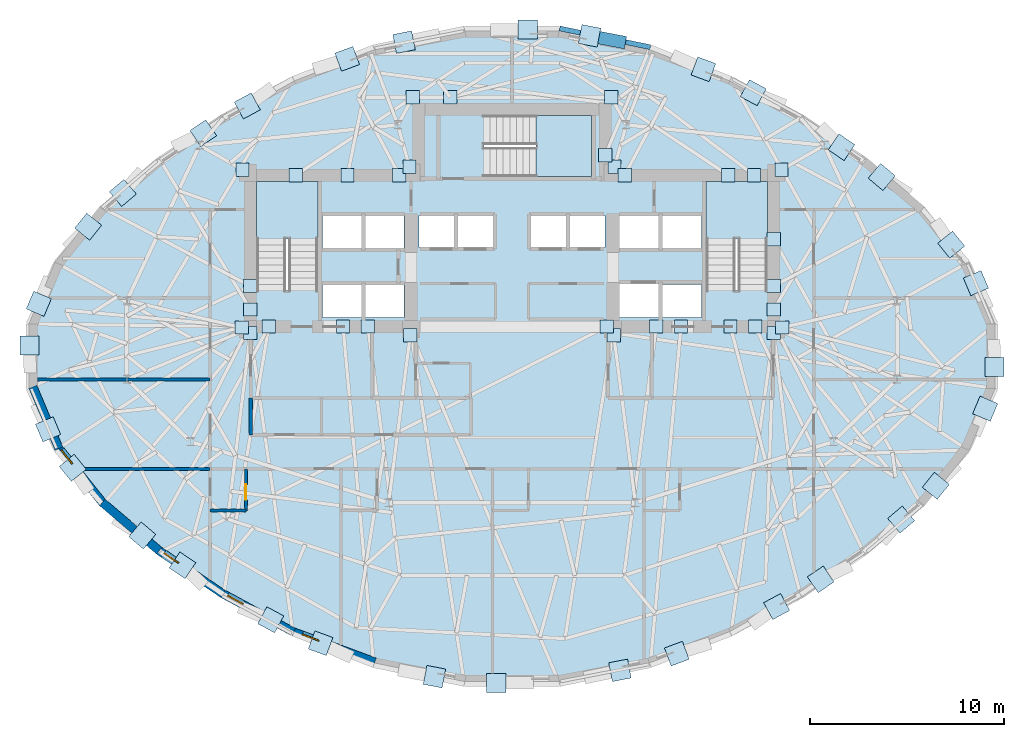
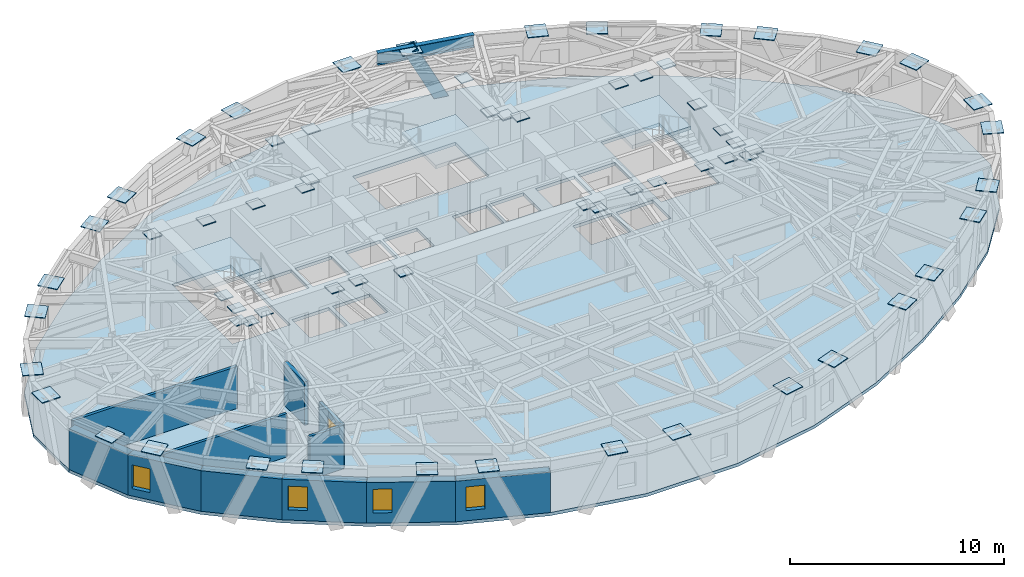
# One storey, part 5 of 14: 65 plates, 11 walls, 4 slabs, 4 windows, 1 beam, 1 door, 1 member, 5 openings, 3 elements without a shape of their own.
"""IFC4 building model written with IfcOpenShell, lengths in metres."""

from ifc_helpers import new_model, si_unit, direction, frame, frame_2d, origin, origin_2d, place, context, subcontext, project, spatial, polyline, rectangle, hollow_rectangle, i_section, outline, extrude, material, layer, layer_set, material_profile, profile_set, type_object, element, fill, aggregate, save


model = new_model("IFC4")

# Units and contexts
model_context = context("Model", 3, precision=1e-05, world=origin(), true_north=direction((0.0, 1.0)))
body_context = subcontext(model_context, "Body", "Model", "MODEL_VIEW")
ifc_project = project(units=[si_unit("LENGTHUNIT", "METRE"), si_unit("AREAUNIT", "SQUARE_METRE"), si_unit("VOLUMEUNIT", "CUBIC_METRE"), si_unit("PLANEANGLEUNIT", "RADIAN"), si_unit("MASSUNIT", "GRAM", prefix="KILO")], contexts=[model_context])

# Site, building, storey
site_placement = place(None, origin())
site = spatial("IfcSite", under=ifc_project, at=site_placement, CompositionType="ELEMENT")
building_placement = place(site_placement, origin())
building = spatial("IfcBuilding", under=site, at=building_placement, Name="Keldmark Tower", CompositionType="ELEMENT")
storey_placement = place(building_placement, frame((0.0, 0.0, 179.0)))
storey = spatial("IfcBuildingStorey", under=building, at=storey_placement, Name="L49", CompositionType="ELEMENT", Elevation=179.0)

# Member
ifc_material_1 = material(Name="Steel ASTM A572 Grade 50", Category="steel")
ifc_material_profile_1 = material_profile(ifc_material_1, hollow_rectangle(XDim=0.64990234375, YDim=0.64990234375, WallThickness=0.0400390625, at=origin_2d()), Name="BOX650X650X40")
ifc_profile_set_1 = profile_set([ifc_material_profile_1], Name="Steel ASTM A572 Grade 50")
member_type = type_object("IfcMemberType", Name="Diagrid Zone 3 Brace BOX650X650X40", PredefinedType="BRACE", material=ifc_profile_set_1)
member_placement = place(storey_placement, frame((5.5595703125, 16.2021484375, -0.260009765625), z_axis=(-0.44299787084, 0.084337857416, 0.89254692439), x_axis=(-0.187020756818, -0.982355962225, 0.0)))
element("IfcMember", 1, at=member_placement, inside=storey, type_object=member_type, Name="L49 Perimeter Diagrid Brace 04A", PredefinedType="BRACE", context=body_context, shape_type="SweptSolid", body=[
    extrude(hollow_rectangle(XDim=0.64990234375, YDim=0.64990234375, WallThickness=0.0400390625, at=origin_2d()), origin(), (0.0, 0.0, 1.0), 3.540283203125),
])

# Beam
ifc_material_2 = material(Name="Steel ASTM A992 Grade 50", Category="steel")
ifc_material_profile_2 = material_profile(ifc_material_2, i_section(OverallWidth=0.256103515625, OverallDepth=0.693115234375, WebThickness=0.014404296875, FlangeThickness=0.023681640625, at=origin_2d()), Name="W27X114")
ifc_profile_set_2 = profile_set([ifc_material_profile_2], Name="Steel ASTM A992 Grade 50")
beam_type = type_object("IfcBeamType", Name="Spandrel Ring Beam W27X114", PredefinedType="SPANDREL", material=ifc_profile_set_2)
beam_placement = place(storey_placement, frame((7.120849609375, 15.913818359375, 2.673583984375), z_axis=(-0.979222564836, 0.202788482206, 0.0), x_axis=(-0.202788482206, -0.979222564836, 0.0)))
element("IfcBeam", 2, at=beam_placement, inside=storey, type_object=beam_type, Name="L49 Perimeter Spandrel Ring Beam SRB-07", PredefinedType="SPANDREL", context=body_context, shape_type="SweptSolid", body=[
    extrude(i_section(OverallWidth=0.256103515625, OverallDepth=0.693115234375, WebThickness=0.014404296875, FlangeThickness=0.023681640625, at=origin_2d()), origin(), (0.0, 0.0, 1.0), 4.767578125),
])

# Plates
ifc_material_3 = material(Name="Steel ASTM A572 Grade 50", Category="steel")
ifc_layer_1 = layer(ifc_material_3, 0.06005859375)
ifc_layer_set_1 = layer_set([ifc_layer_1], Name="Steel ASTM A572 Grade 50")
plate_type_1 = type_object("IfcPlateType", Name="Belt Truss Kink Node Assembly KN01 60 mm", PredefinedType="USERDEFINED", material=ifc_layer_set_1)
for number, where, z_axis, x_axis, name in (
    (3, (13.91162109375, 1.473388671875, 2.72412109375), (0.0, 0.0, 1.0), (1.0, 0.0, 0.0), "L49 Core Wall Cast-In Embed Plate 1437"),
    (4, (13.878173828125, 9.608154296875, 2.72412109375), (0.0, 0.0, 1.0), (1.0, 0.0, 0.0), "L49 Core Wall Cast-In Embed Plate 1438"),
    (5, (5.28515625, 9.758544921875, 2.72412109375), (0.0, 0.0, 1.0), (1.0, 0.0, 0.0), "L49 Core Wall Cast-In Embed Plate 1439"),
    (6, (-5.28515625, 9.758544921875, 2.72412109375), (0.0, 0.0, 1.0), (1.0, 0.0, 0.0), "L49 Core Wall Cast-In Embed Plate 1440"),
    (7, (-13.878173828125, 9.608154296875, 2.72412109375), (0.0, 0.0, 1.0), (1.0, 0.0, 0.0), "L49 Core Wall Cast-In Embed Plate 1441"),
    (8, (-13.91162109375, 1.473388671875, 2.72412109375), (0.0, 0.0, 1.0), (1.0, 0.0, 0.0), "L49 Core Wall Cast-In Embed Plate 1442"),
    (9, (-5.24072265625, 1.08251953125, 2.72412109375), (0.0, 0.0, 1.0), (1.0, 0.0, 0.0), "L49 Core Wall Cast-In Embed Plate 1443"),
    (10, (5.24072265625, 1.08251953125, 2.72412109375), (0.0, 0.0, 1.0), (1.0, 0.0, 0.0), "L49 Core Wall Cast-In Embed Plate 1444"),
    (11, (5.80712890625, 9.324951171875, 2.72412109375), (0.0, 0.0, 1.0), (1.0, 0.0, 0.0), "L49 Core Wall Cast-In Embed Plate 1445"),
    (12, (-5.80712890625, 9.324951171875, 2.72412109375), (0.0, 0.0, 1.0), (1.0, 0.0, 0.0), "L49 Core Wall Cast-In Embed Plate 1446"),
    (13, (-13.47509765625, 1.199951171875, 2.72412109375), (0.0, 0.0, 1.0), (1.0, 0.0, 0.0), "L49 Core Wall Cast-In Embed Plate 1447"),
    (14, (-7.425048828125, 1.52490234375, 2.72412109375), (0.0, 0.0, 1.0), (1.0, 0.0, 0.0), "L49 Core Wall Cast-In Embed Plate 1448"),
    (15, (7.425048828125, 1.52490234375, 2.72412109375), (0.0, 0.0, 1.0), (1.0, 0.0, 0.0), "L49 Core Wall Cast-In Embed Plate 1449"),
    (16, (13.47509765625, 1.199951171875, 2.72412109375), (0.0, 0.0, 1.0), (1.0, 0.0, 0.0), "L49 Core Wall Cast-In Embed Plate 1450"),
    (17, (-12.52490234375, 1.52490234375, 2.72412109375), (0.0, 0.0, 1.0), (1.0, 0.0, 0.0), "L49 Core Wall Cast-In Embed Plate 1451"),
    (18, (13.47509765625, 3.6142578125, 2.72412109375), (0.0, 0.0, 1.0), (1.0, 0.0, 0.0), "L49 Core Wall Cast-In Embed Plate 1452"),
    (19, (13.47509765625, 2.406982421875, 2.72412109375), (0.0, 0.0, 1.0), (1.0, 0.0, 0.0), "L49 Core Wall Cast-In Embed Plate 1453"),
    (20, (5.110595703125, 13.339111328125, 2.72412109375), (0.0, 0.0, 1.0), (1.0, 0.0, 0.0), "L49 Core Wall Cast-In Embed Plate 1454"),
    (21, (11.1357421875, 9.324951171875, 2.72412109375), (0.0, 0.0, 1.0), (1.0, 0.0, 0.0), "L49 Core Wall Cast-In Embed Plate 1455"),
    (22, (-5.110595703125, 13.339111328125, 2.72412109375), (0.0, 0.0, 1.0), (1.0, 0.0, 0.0), "L49 Core Wall Cast-In Embed Plate 1456"),
    (23, (-11.1357421875, 9.324951171875, 2.72412109375), (0.0, 0.0, 1.0), (1.0, 0.0, 0.0), "L49 Core Wall Cast-In Embed Plate 1457"),
    (24, (-3.175537109375, 13.339111328125, 2.72412109375), (0.0, 0.0, 1.0), (1.0, 0.0, 0.0), "L49 Core Wall Cast-In Embed Plate 1458"),
    (25, (-13.47509765625, 2.406982421875, 2.72412109375), (0.0, 0.0, 1.0), (1.0, 0.0, 0.0), "L49 Core Wall Cast-In Embed Plate 1459"),
    (26, (-13.47509765625, 3.6142578125, 2.72412109375), (0.0, 0.0, 1.0), (1.0, 0.0, 0.0), "L49 Core Wall Cast-In Embed Plate 1460"),
    (27, (4.875, 1.52490234375, 2.72412109375), (0.0, 0.0, 1.0), (1.0, 0.0, 0.0), "L49 Core Wall Cast-In Embed Plate 1461"),
    (28, (-8.699951171875, 1.52490234375, 2.72412109375), (0.0, 0.0, 1.0), (1.0, 0.0, 0.0), "L49 Core Wall Cast-In Embed Plate 1462"),
    (29, (8.699951171875, 1.52490234375, 2.72412109375), (0.0, 0.0, 1.0), (1.0, 0.0, 0.0), "L49 Core Wall Cast-In Embed Plate 1463"),
    (30, (11.25, 1.52490234375, 2.72412109375), (0.0, 0.0, 1.0), (1.0, 0.0, 0.0), "L49 Core Wall Cast-In Embed Plate 1464"),
    (31, (12.52490234375, 1.52490234375, 2.72412109375), (0.0, 0.0, 1.0), (1.0, 0.0, 0.0), "L49 Core Wall Cast-In Embed Plate 1465"),
    (32, (4.800048828125, 10.35009765625, 2.72412109375), (0.0, 0.0, 1.0), (1.0, 0.0, 0.0), "L49 Core Wall Cast-In Embed Plate 1466"),
    (33, (12.468017578125, 9.324951171875, 2.72412109375), (0.0, 0.0, 1.0), (1.0, 0.0, 0.0), "L49 Core Wall Cast-In Embed Plate 1467"),
    (34, (-8.471435546875, 9.324951171875, 2.72412109375), (0.0, 0.0, 1.0), (1.0, 0.0, 0.0), "L49 Core Wall Cast-In Embed Plate 1468"),
    (35, (13.47509765625, 6.028564453125, 2.72412109375), (0.0, 0.0, 1.0), (1.0, 0.0, 0.0), "L49 Core Wall Cast-In Embed Plate 1469"),
):
    element("IfcPlate", number, at=place(storey_placement, frame(where, z_axis=z_axis, x_axis=x_axis)), inside=storey, type_object=plate_type_1, Name=name, ObjectType="CAP PLATE", PredefinedType="USERDEFINED", context=body_context, shape_type="SweptSolid", body=[
        extrude(rectangle(XDim=0.679931640625, YDim=0.679931640625, at=origin_2d()), origin(), (0.0, 0.0, 1.0), 0.054931640625),
    ])
ifc_material_4 = material(Name="Steel ASTM A572 Grade 50", Category="steel")
ifc_layer_2 = layer(ifc_material_4, 0.044921875)
ifc_layer_set_2 = layer_set([ifc_layer_2], Name="Steel ASTM A572 Grade 50")
plate_type_2 = type_object("IfcPlateType", Name="Diagrid Node Assembly DN04 45 mm", PredefinedType="USERDEFINED", material=ifc_layer_set_2)
for number, where, z_axis, x_axis, name in (
    (36, (23.889892578125, 3.7666015625, 2.87744140625), (0.0, 0.0, 1.0), (-0.388319916157, 0.921524629468, 0.0), "L49 Diagrid Node Assembly 01"),
    (37, (22.619384765625, 5.747314453125, 2.87744140625), (0.0, 0.0, 1.0), (-0.626603811364, 0.779337964931, 0.0), "L49 Diagrid Node Assembly 02"),
    (38, (19.040771484375, 9.231201171875, 2.87744140625), (0.0, 0.0, 1.0), (-0.762555431968, 0.646922880393, 0.0), "L49 Diagrid Node Assembly 03"),
    (39, (16.97119140625, 10.764892578125, 2.87744140625), (0.0, 0.0, 1.0), (-0.827766671236, 0.56107248907, 0.0), "L49 Diagrid Node Assembly 04"),
    (40, (12.425537109375, 13.571533203125, 2.87744140625), (0.0, 0.0, 1.0), (-0.879316310191, 0.476238203668, 0.0), "L49 Diagrid Node Assembly 05"),
    (41, (9.857666015625, 14.779541015625, 2.87744140625), (0.0, 0.0, 1.0), (-0.938009980858, 0.346608245445, 0.0), "L49 Diagrid Node Assembly 06"),
    (42, (3.9912109375, 16.500732421875, 2.87744140625), (0.0, 0.0, 1.0), (-0.981760154029, 0.190123643878, 0.0), "L49 Diagrid Node Assembly 07"),
    (43, (0.8115234375, 16.82080078125, 2.87744140625), (0.0, 0.0, 1.0), (-1.0, 0.0, 0.0), "L49 Diagrid Node Assembly 08"),
    (44, (-5.558837890625, 16.17626953125, 2.87744140625), (0.0, 0.0, 1.0), (-0.981760154029, -0.190123643878, 0.0), "L49 Diagrid Node Assembly 09"),
    (45, (-8.486083984375, 15.315673828125, 2.87744140625), (0.0, 0.0, 1.0), (-0.938009980858, -0.346608245445, 0.0), "L49 Diagrid Node Assembly 10"),
    (46, (-13.630615234375, 12.89111328125, 2.87744140625), (0.0, 0.0, 1.0), (-0.879316310191, -0.476238203668, 0.0), "L49 Diagrid Node Assembly 11"),
    (47, (-15.897705078125, 11.490234375, 2.87744140625), (0.0, 0.0, 1.0), (-0.827766671236, -0.56107248907, 0.0), "L49 Diagrid Node Assembly 12"),
    (48, (-20.04150390625, 8.411376953125, 2.87744140625), (0.0, 0.0, 1.0), (-0.762555431968, -0.646922880393, 0.0), "L49 Diagrid Node Assembly 13"),
    (49, (-21.826416015625, 6.673583984375, 2.87744140625), (0.0, 0.0, 1.0), (-0.626603811364, -0.779337964931, 0.0), "L49 Diagrid Node Assembly 14"),
    (50, (-24.36767578125, 2.7001953125, 2.87744140625), (0.0, 0.0, 1.0), (-0.388319916157, -0.921524629468, 0.0), "L49 Diagrid Node Assembly 15"),
    (51, (-24.8408203125, 0.54833984375, 2.87744140625), (0.0, 0.0, 1.0), (0.0, -1.0, 0.0), "L49 Diagrid Node Assembly 16"),
    (52, (-23.889892578125, -3.7666015625, 2.87744140625), (0.0, 0.0, 1.0), (0.388319916157, -0.921524629468, 0.0), "L49 Diagrid Node Assembly 17"),
    (53, (-22.619384765625, -5.747314453125, 2.87744140625), (0.0, 0.0, 1.0), (0.626603811364, -0.779337964931, 0.0), "L49 Diagrid Node Assembly 18"),
    (54, (-19.040771484375, -9.231201171875, 2.87744140625), (0.0, 0.0, 1.0), (0.762555431968, -0.646922880393, 0.0), "L49 Diagrid Node Assembly 19"),
    (55, (-16.97119140625, -10.764892578125, 2.87744140625), (0.0, 0.0, 1.0), (0.827766671236, -0.56107248907, 0.0), "L49 Diagrid Node Assembly 20"),
    (56, (-12.425537109375, -13.571533203125, 2.87744140625), (0.0, 0.0, 1.0), (0.879316310191, -0.476238203668, 0.0), "L49 Diagrid Node Assembly 21"),
    (57, (-9.857666015625, -14.779541015625, 2.87744140625), (0.0, 0.0, 1.0), (0.938009980858, -0.346608245445, 0.0), "L49 Diagrid Node Assembly 22"),
    (58, (-3.9912109375, -16.500732421875, 2.87744140625), (0.0, 0.0, 1.0), (0.981760154029, -0.190123643878, 0.0), "L49 Diagrid Node Assembly 23"),
    (59, (-0.8115234375, -16.82080078125, 2.87744140625), (0.0, 0.0, 1.0), (1.0, 0.0, 0.0), "L49 Diagrid Node Assembly 24"),
    (60, (5.558837890625, -16.17626953125, 2.87744140625), (0.0, 0.0, 1.0), (0.981760154029, 0.190123643878, 0.0), "L49 Diagrid Node Assembly 25"),
    (61, (8.486083984375, -15.315673828125, 2.87744140625), (0.0, 0.0, 1.0), (0.938009980858, 0.346608245445, 0.0), "L49 Diagrid Node Assembly 26"),
    (62, (13.630615234375, -12.89111328125, 2.87744140625), (0.0, 0.0, 1.0), (0.879316310191, 0.476238203668, 0.0), "L49 Diagrid Node Assembly 27"),
    (63, (15.897705078125, -11.490234375, 2.87744140625), (0.0, 0.0, 1.0), (0.827766671236, 0.56107248907, 0.0), "L49 Diagrid Node Assembly 28"),
    (64, (20.04150390625, -8.411376953125, 2.87744140625), (0.0, 0.0, 1.0), (0.762555431968, 0.646922880393, 0.0), "L49 Diagrid Node Assembly 29"),
    (65, (21.826416015625, -6.673583984375, 2.87744140625), (0.0, 0.0, 1.0), (0.626603811364, 0.779337964931, 0.0), "L49 Diagrid Node Assembly 30"),
    (66, (24.36767578125, -2.7001953125, 2.87744140625), (0.0, 0.0, 1.0), (0.388319916157, 0.921524629468, 0.0), "L49 Diagrid Node Assembly 31"),
    (67, (24.8408203125, -0.54833984375, 2.87744140625), (0.0, 0.0, 1.0), (0.0, 1.0, 0.0), "L49 Diagrid Node Assembly 32"),
):
    element("IfcPlate", number, at=place(storey_placement, frame(where, z_axis=z_axis, x_axis=x_axis)), inside=storey, type_object=plate_type_2, Name=name, ObjectType="GUSSET", PredefinedType="USERDEFINED", context=body_context, shape_type="SweptSolid", body=[
        extrude(rectangle(XDim=0.989990234375, YDim=0.989990234375, at=origin_2d()), origin(), (0.0, 0.0, 1.0), 0.044921875),
    ])

# Slab
ifc_material_5 = material(Name="Concrete C35/45", Category="concrete")
ifc_layer_3 = layer(ifc_material_5, 0.179931640625)
ifc_layer_set_3 = layer_set([ifc_layer_3], Name="Concrete C35/45")
slab_type_1 = type_object("IfcSlabType", Name="Hotel and Residential Slab 180 mm", PredefinedType="FLOOR", material=ifc_layer_set_3)
slab_1_placement = place(storey_placement, frame((0.0, 0.0, -0.179931640625)))
element("IfcSlab", 68, at=slab_1_placement, inside=storey, type_object=slab_type_1, Name="L49 Composite Structural Floor Slab", PredefinedType="FLOOR", context=body_context, shape_type="SweptSolid", body=[
    extrude(outline(polyline([(24.8779296875, 1.6611328125), (23.5380859375, 4.84033203125), (21.2412109375, 7.69677734375), (18.30810546875, 10.185546875), (15.02490234375, 12.4111328125), (11.353759765625, 14.399658203125), (7.14013671875, 15.956787109375), (2.4501953125, 16.864990234375), (-2.4501953125, 16.864990234375), (-7.14013671875, 15.956787109375), (-11.353759765625, 14.399658203125), (-15.02490234375, 12.4111328125), (-18.30810546875, 10.185546875), (-21.2412109375, 7.69677734375), (-23.5380859375, 4.84033203125), (-24.8779296875, 1.6611328125), (-24.8779296875, -1.6611328125), (-23.5380859375, -4.84033203125), (-21.2412109375, -7.69677734375), (-18.30810546875, -10.185546875), (-15.02490234375, -12.4111328125), (-11.353759765625, -14.399658203125), (-7.14013671875, -15.956787109375), (-2.4501953125, -16.864990234375), (2.4501953125, -16.864990234375), (7.14013671875, -15.956787109375), (11.353759765625, -14.399658203125), (15.02490234375, -12.4111328125), (18.30810546875, -10.185546875), (21.2412109375, -7.69677734375), (23.5380859375, -4.84033203125), (24.8779296875, -1.6611328125), (24.8779296875, 1.6611328125)]), holes=[polyline([(-10.0, 3.385009765625), (-10.0, 9.0), (-13.14990234375, 9.0), (-13.14990234375, 3.385009765625), (-10.0, 3.385009765625)]), polyline([(13.14990234375, 3.385009765625), (13.14990234375, 9.0), (10.0, 9.0), (10.0, 3.385009765625), (13.14990234375, 3.385009765625)]), polyline([(-1.43994140625, 9.25), (4.10498046875, 9.25), (4.10498046875, 12.39990234375), (-1.43994140625, 12.39990234375), (-1.43994140625, 9.25)]), polyline([(-9.75, 2.0), (-7.75, 2.0), (-7.75, 3.699951171875), (-9.75, 3.699951171875), (-9.75, 2.0)]), polyline([(7.75, 2.0), (9.75, 2.0), (9.75, 3.699951171875), (7.75, 3.699951171875), (7.75, 2.0)]), polyline([(5.449951171875, 2.0), (7.550048828125, 2.0), (7.550048828125, 3.75), (5.449951171875, 3.75), (5.449951171875, 2.0)]), polyline([(-4.800048828125, 5.60009765625), (-2.949951171875, 5.60009765625), (-2.949951171875, 7.25), (-4.800048828125, 7.25), (-4.800048828125, 5.60009765625)]), polyline([(-2.800048828125, 5.60009765625), (-0.949951171875, 5.60009765625), (-0.949951171875, 7.25), (-2.800048828125, 7.25), (-2.800048828125, 5.60009765625)]), polyline([(0.949951171875, 5.60009765625), (2.800048828125, 5.60009765625), (2.800048828125, 7.25), (0.949951171875, 7.25), (0.949951171875, 5.60009765625)]), polyline([(2.949951171875, 5.60009765625), (4.800048828125, 5.60009765625), (4.800048828125, 7.25), (2.949951171875, 7.25), (2.949951171875, 5.60009765625)]), polyline([(-9.75, 5.550048828125), (-7.75, 5.550048828125), (-7.75, 7.25), (-9.75, 7.25), (-9.75, 5.550048828125)]), polyline([(-7.550048828125, 5.550048828125), (-5.550048828125, 5.550048828125), (-5.550048828125, 7.25), (-7.550048828125, 7.25), (-7.550048828125, 5.550048828125)]), polyline([(-7.550048828125, 2.0), (-5.550048828125, 2.0), (-5.550048828125, 3.699951171875), (-7.550048828125, 3.699951171875), (-7.550048828125, 2.0)]), polyline([(5.449951171875, 5.550048828125), (7.550048828125, 5.550048828125), (7.550048828125, 7.25), (5.449951171875, 7.25), (5.449951171875, 5.550048828125)]), polyline([(7.75, 5.550048828125), (9.75, 5.550048828125), (9.75, 7.25), (7.75, 7.25), (7.75, 5.550048828125)])]), origin(), (0.0, 0.0, 1.0), 0.179931640625),
])

# Stair, slab
ifc_material_6 = material(Name="Concrete C40/50", Category="concrete")
stair_type = type_object("IfcStairType", Name="Precast Concrete Core Exit Stair", PredefinedType="HALF_TURN_STAIR", material=ifc_material_6)
stair_1_placement = place(storey_placement, origin())
stair_1 = element("IfcStair", 69, at=stair_1_placement, inside=storey, type_object=stair_type, Name="L49 Exit Stair ST1", PredefinedType="HALF_TURN_STAIR")
ifc_material_7 = material(Name="Concrete C40/50", Category="concrete")
ifc_layer_4 = layer(ifc_material_7, 0.199951171875)
ifc_layer_set_4 = layer_set([ifc_layer_4], Name="Concrete C40/50")
slab_type_2 = type_object("IfcSlabType", Name="Reinforced Concrete Stair Landing 200 mm", PredefinedType="LANDING", material=ifc_layer_set_4)
slab_2_placement = place(storey_placement, frame((0.0, 0.0, 1.39990234375)))
slab_2 = element("IfcSlab", 70, at=slab_2_placement, type_object=slab_type_2, Name="ST1 landing 1", PredefinedType="LANDING", context=body_context, shape_type="SweptSolid", body=[
    extrude(outline(polyline([(-10.0, 6.050048828125), (-10.0, 9.0), (-13.14990234375, 9.0), (-13.14990234375, 6.050048828125), (-10.0, 6.050048828125)])), origin(), (0.0, 0.0, 1.0), 0.2001953125),
])
aggregate(stair_1, [slab_2])

stair_2_placement = place(storey_placement, origin())
stair_2 = element("IfcStair", 71, at=stair_2_placement, inside=storey, type_object=stair_type, Name="L49 Exit Stair ST2", PredefinedType="HALF_TURN_STAIR")
slab_3_placement = place(storey_placement, frame((0.0, 0.0, 1.39990234375)))
slab_3 = element("IfcSlab", 72, at=slab_3_placement, type_object=slab_type_2, Name="ST2 landing 1", PredefinedType="LANDING", context=body_context, shape_type="SweptSolid", body=[
    extrude(outline(polyline([(13.14990234375, 6.050048828125), (13.14990234375, 9.0), (10.0, 9.0), (10.0, 6.050048828125), (13.14990234375, 6.050048828125)])), origin(), (0.0, 0.0, 1.0), 0.2001953125),
])
aggregate(stair_2, [slab_3])

stair_3_placement = place(storey_placement, origin())
stair_3 = element("IfcStair", 73, at=stair_3_placement, inside=storey, type_object=stair_type, Name="L49 Exit Stair ST3", PredefinedType="HALF_TURN_STAIR")
slab_4_placement = place(storey_placement, frame((0.0, 0.0, 1.39990234375)))
slab_4 = element("IfcSlab", 74, at=slab_4_placement, type_object=slab_type_2, Name="ST3 landing 1", PredefinedType="LANDING", context=body_context, shape_type="SweptSolid", body=[
    extrude(outline(polyline([(1.22509765625, 9.25), (4.10498046875, 9.25), (4.10498046875, 12.39990234375), (1.22509765625, 12.39990234375), (1.22509765625, 9.25)])), origin(), (0.0, 0.0, 1.0), 0.2001953125),
])
aggregate(stair_3, [slab_4])

# Walls
ifc_material_8 = material(Name="Heavy Acoustic Plumbing Chase Gypsum Assembly", Category="gypsum")
ifc_layer_5 = layer(ifc_material_8, 0.18994140625)
ifc_layer_set_5 = layer_set([ifc_layer_5], Name="Heavy Acoustic Plumbing Chase Gypsum Assembly")
wall_type_1 = type_object("IfcWallType", Name="Heavy Wet Wall 190 mm", PredefinedType="PLUMBINGWALL", material=ifc_layer_set_5)
wall_1_placement = place(storey_placement, frame((-13.449951171875, -4.050048828125, 0.0), z_axis=(0.0, 0.0, 1.0), x_axis=(0.0, 1.0, 0.0)))
element("IfcWall", 75, at=wall_1_placement, inside=storey, type_object=wall_type_1, Name="L49 Heavy Wet Wall 190 mm SPK-W-W", PredefinedType="PLUMBINGWALL", context=body_context, shape_type="SweptSolid", body=[
    extrude(rectangle(XDim=1.900146484375, YDim=0.18994140625, at=frame_2d((0.9501953125, 0.0))), origin(), (0.0, 0.0, 1.0), 2.472900390625),
])
ifc_material_9 = material(Name="Ironspot Manganese Brick and Kasota Buff Limestone Spandrel Assembly", Category="masonry")
ifc_layer_6 = layer(ifc_material_9, 0.43994140625)
ifc_layer_set_6 = layer_set([ifc_layer_6], Name="Ironspot Manganese Brick and Kasota Buff Limestone Spandrel Assembly")
wall_type_2 = type_object("IfcWallType", Name="Tower Brick Pier and Spandrel Wall 440 mm", PredefinedType="STANDARD", material=ifc_layer_set_6)
wall_2_placement = place(storey_placement, frame((-23.33544921875, -4.7548828125, 0.0), z_axis=(0.0, 0.0, 1.0), x_axis=(-0.388360687569, 0.9215074478, 0.0)))
element("IfcWall", 76, at=wall_2_placement, inside=storey, type_object=wall_type_2, Name="L49 Exterior Brick and Spandrel Wall 17", PredefinedType="STANDARD", context=body_context, shape_type="SweptSolid", body=[
    extrude(rectangle(XDim=3.449951171875, YDim=0.43994140625, at=frame_2d((1.72509765625, 0.0))), origin(), (0.0, 0.0, 1.0), 2.31494140625),
])

# Wall, opening, window
wall_3_placement = place(storey_placement, frame((-21.06982421875, -7.558837890625, 0.0), z_axis=(0.0, 0.0, 1.0), x_axis=(-0.626642586146, 0.779306787618, 0.0)))
wall_3 = element("IfcWall", 77, at=wall_3_placement, inside=storey, type_object=wall_type_2, Name="L49 Exterior Brick and Spandrel Wall 18", PredefinedType="STANDARD", context=body_context, shape_type="SweptSolid", body=[
    extrude(rectangle(XDim=3.665283203125, YDim=0.43994140625, at=frame_2d((1.83251953125, 0.0))), origin(), (0.0, 0.0, 1.0), 2.31494140625),
])
opening_1_placement = place(wall_3_placement, frame((2.565185546875, 0.0, 0.419921875)))
opening_1 = element("IfcOpeningElement", 78, at=opening_1_placement, cuts=wall_3, Name="Opening W-09", PredefinedType="OPENING", context=body_context, shape_type="SweptSolid", body=[
    extrude(rectangle(XDim=0.89990234375, YDim=1.35009765625, at=frame_2d((0.449951171875, 0.675048828125))), frame((0.0, 0.22998046875, 0.0), z_axis=(0.0, -1.0, 0.0), x_axis=(1.0, 0.0, 0.0)), (0.0, 0.0, 1.0), 0.4599609375),
])
ifc_material_10 = material(Name="Thermally Broken Anodized Aluminum and Triple Low-E Argon Glazing", Category="aluminium")
window_type = type_object("IfcWindowType", Name="Corner Pier Deep-Set Window 900x1350", PartitioningType="SINGLE_PANEL", PredefinedType="WINDOW", material=ifc_material_10)
window_1_placement = place(opening_1_placement, origin())
window_1 = element("IfcWindow", 79, at=window_1_placement, inside=storey, type_object=window_type, Name="L49 Deep-Set Window 18", OverallHeight=1.35009765625, OverallWidth=0.89990234375, PartitioningType="SINGLE_PANEL", PredefinedType="WINDOW", context=body_context, shape_type="SweptSolid", body=[
    extrude(rectangle(XDim=0.89990234375, YDim=1.35009765625, at=frame_2d((0.449951171875, 0.675048828125))), frame((0.0, -0.010009765625, 0.0), z_axis=(0.0, -1.0, 0.0), x_axis=(1.0, 0.0, 0.0)), (0.0, 0.0, 1.0), 0.06005859375),
])
fill(opening_1, window_1)

# Wall
wall_4_placement = place(storey_placement, frame((-18.165771484375, -10.017822265625, 0.0), z_axis=(0.0, 0.0, 1.0), x_axis=(-0.762499647343, 0.646988630349, 0.0)))
element("IfcWall", 80, at=wall_4_placement, inside=storey, type_object=wall_type_2, Name="L49 Exterior Brick and Spandrel Wall 19", PredefinedType="STANDARD", context=body_context, shape_type="SweptSolid", body=[
    extrude(rectangle(XDim=3.8466796875, YDim=0.43994140625, at=frame_2d((1.92333984375, 0.0))), origin(), (0.0, 0.0, 1.0), 2.31494140625),
])

# Wall, opening, window
wall_5_placement = place(storey_placement, frame((-14.901611328125, -12.22900390625, 0.0), z_axis=(0.0, 0.0, 1.0), x_axis=(-0.827725942945, 0.561132572015, 0.0)))
wall_5 = element("IfcWall", 81, at=wall_5_placement, inside=storey, type_object=wall_type_2, Name="L49 Exterior Brick and Spandrel Wall 20", PredefinedType="STANDARD", context=body_context, shape_type="SweptSolid", body=[
    extrude(rectangle(XDim=3.96630859375, YDim=0.43994140625, at=frame_2d((1.983154296875, 0.0))), origin(), (0.0, 0.0, 1.0), 2.31494140625),
])
opening_2_placement = place(wall_5_placement, frame((2.767578125, 0.0, 0.580078125)))
opening_2 = element("IfcOpeningElement", 82, at=opening_2_placement, cuts=wall_5, Name="Opening W-09", PredefinedType="OPENING", context=body_context, shape_type="SweptSolid", body=[
    extrude(rectangle(XDim=0.89990234375, YDim=1.35009765625, at=frame_2d((0.449951171875, 0.675048828125))), frame((0.0, 0.22998046875, 0.0), z_axis=(0.0, -1.0, 0.0), x_axis=(1.0, 0.0, 0.0)), (0.0, 0.0, 1.0), 0.4599609375),
])
window_2_placement = place(opening_2_placement, origin())
window_2 = element("IfcWindow", 83, at=window_2_placement, inside=storey, type_object=window_type, Name="L49 Deep-Set Window 20", OverallHeight=1.35009765625, OverallWidth=0.89990234375, PartitioningType="SINGLE_PANEL", PredefinedType="WINDOW", context=body_context, shape_type="SweptSolid", body=[
    extrude(rectangle(XDim=0.89990234375, YDim=1.35009765625, at=frame_2d((0.449951171875, 0.675048828125))), frame((0.0, -0.010009765625, 0.0), z_axis=(0.0, -1.0, 0.0), x_axis=(1.0, 0.0, 0.0)), (0.0, 0.0, 1.0), 0.06005859375),
])
fill(opening_2, window_2)

wall_6_placement = place(storey_placement, frame((-11.248779296875, -14.206298828125, 0.0), z_axis=(0.0, 0.0, 1.0), x_axis=(-0.879306250646, 0.476256776933, 0.0)))
wall_6 = element("IfcWall", 84, at=wall_6_placement, inside=storey, type_object=wall_type_2, Name="L49 Exterior Brick and Spandrel Wall 21", PredefinedType="STANDARD", context=body_context, shape_type="SweptSolid", body=[
    extrude(rectangle(XDim=4.17529296875, YDim=0.43994140625, at=frame_2d((2.087646484375, 0.0))), origin(), (0.0, 0.0, 1.0), 2.31494140625),
])
opening_3_placement = place(wall_6_placement, frame((2.97607421875, 0.0, 0.580078125)))
opening_3 = element("IfcOpeningElement", 85, at=opening_3_placement, cuts=wall_6, Name="Opening W-09", PredefinedType="OPENING", context=body_context, shape_type="SweptSolid", body=[
    extrude(rectangle(XDim=0.89990234375, YDim=1.35009765625, at=frame_2d((0.449951171875, 0.675048828125))), frame((0.0, 0.22998046875, 0.0), z_axis=(0.0, -1.0, 0.0), x_axis=(1.0, 0.0, 0.0)), (0.0, 0.0, 1.0), 0.4599609375),
])
window_3_placement = place(opening_3_placement, origin())
window_3 = element("IfcWindow", 86, at=window_3_placement, inside=storey, type_object=window_type, Name="L49 Deep-Set Window 21", OverallHeight=1.35009765625, OverallWidth=0.89990234375, PartitioningType="SINGLE_PANEL", PredefinedType="WINDOW", context=body_context, shape_type="SweptSolid", body=[
    extrude(rectangle(XDim=0.89990234375, YDim=1.35009765625, at=frame_2d((0.449951171875, 0.675048828125))), frame((0.0, -0.010009765625, 0.0), z_axis=(0.0, -1.0, 0.0), x_axis=(1.0, 0.0, 0.0)), (0.0, 0.0, 1.0), 0.06005859375),
])
fill(opening_3, window_3)

wall_7_placement = place(storey_placement, frame((-7.06396484375, -15.75048828125, 0.0), z_axis=(0.0, 0.0, 1.0), x_axis=(-0.937993730452, 0.346652220004, 0.0)))
wall_7 = element("IfcWall", 87, at=wall_7_placement, inside=storey, type_object=wall_type_2, Name="L49 Exterior Brick and Spandrel Wall 22", PredefinedType="STANDARD", context=body_context, shape_type="SweptSolid", body=[
    extrude(rectangle(XDim=4.491943359375, YDim=0.43994140625, at=frame_2d((2.24609375, 0.0))), origin(), (0.0, 0.0, 1.0), 2.31494140625),
])
opening_4_placement = place(wall_7_placement, frame((3.0927734375, 0.0, 0.580078125)))
opening_4 = element("IfcOpeningElement", 88, at=opening_4_placement, cuts=wall_7, Name="Opening W-09", PredefinedType="OPENING", context=body_context, shape_type="SweptSolid", body=[
    extrude(rectangle(XDim=0.89990234375, YDim=1.35009765625, at=frame_2d((0.449951171875, 0.675048828125))), frame((0.0, 0.22998046875, 0.0), z_axis=(0.0, -1.0, 0.0), x_axis=(1.0, 0.0, 0.0)), (0.0, 0.0, 1.0), 0.4599609375),
])
window_4_placement = place(opening_4_placement, origin())
window_4 = element("IfcWindow", 89, at=window_4_placement, inside=storey, type_object=window_type, Name="L49 Deep-Set Window 22", OverallHeight=1.35009765625, OverallWidth=0.89990234375, PartitioningType="SINGLE_PANEL", PredefinedType="WINDOW", context=body_context, shape_type="SweptSolid", body=[
    extrude(rectangle(XDim=0.89990234375, YDim=1.35009765625, at=frame_2d((0.449951171875, 0.675048828125))), frame((0.0, -0.010009765625, 0.0), z_axis=(0.0, -1.0, 0.0), x_axis=(1.0, 0.0, 0.0)), (0.0, 0.0, 1.0), 0.06005859375),
])
fill(opening_4, window_4)

# Wall
ifc_material_11 = material(Name="Moisture-Resistant Gypsum Plumbing Partition", Category="gypsum")
ifc_layer_7 = layer(ifc_material_11, 0.14990234375)
ifc_layer_set_7 = layer_set([ifc_layer_7], Name="Moisture-Resistant Gypsum Plumbing Partition")
wall_type_3 = type_object("IfcWallType", Name="Wet Wall 150 mm", PredefinedType="PLUMBINGWALL", material=ifc_layer_set_7)
wall_8_placement = place(storey_placement, frame((-22.191650390625, -5.800048828125, 0.0), z_axis=(0.0, 0.0, 1.0), x_axis=(1.0, 0.0, 0.0)))
element("IfcWall", 90, at=wall_8_placement, inside=storey, type_object=wall_type_3, Name="L49 Wet Wall 150 mm HW-CAP-S", PredefinedType="PLUMBINGWALL", context=body_context, shape_type="SweptSolid", body=[
    extrude(rectangle(XDim=6.6416015625, YDim=0.14990234375, at=frame_2d((3.32080078125, 0.0))), origin(), (0.0, 0.0, 1.0), 2.472900390625),
])

# Wall, opening, door
wall_9_placement = place(storey_placement, frame((-13.699951171875, -7.949951171875, 0.0), z_axis=(0.0, 0.0, 1.0), x_axis=(0.0, 1.0, 0.0)))
wall_9 = element("IfcWall", 91, at=wall_9_placement, inside=storey, type_object=wall_type_3, Name="L49 Wet Wall 150 mm HB-S1-E", PredefinedType="PLUMBINGWALL", context=body_context, shape_type="SweptSolid", body=[
    extrude(rectangle(XDim=2.14990234375, YDim=0.14990234375, at=frame_2d((1.074951171875, 0.0))), origin(), (0.0, 0.0, 1.0), 2.472900390625),
])
opening_5_placement = place(wall_9_placement, frame((0.550048828125, 0.0, 0.0)))
opening_5 = element("IfcOpeningElement", 92, at=opening_5_placement, cuts=wall_9, Name="Opening D-BT080", PredefinedType="OPENING", context=body_context, shape_type="SweptSolid", body=[
    extrude(rectangle(XDim=0.800048828125, YDim=2.10009765625, at=frame_2d((0.39990234375, 1.050048828125))), frame((0.0, 0.0849609375, 0.0), z_axis=(0.0, -1.0, 0.0), x_axis=(1.0, 0.0, 0.0)), (0.0, 0.0, 1.0), 0.169921875),
])
ifc_material_12 = material(Name="Moisture-Sealed Stained Wood", Category="wood")
door_type = type_object("IfcDoorType", Name="Bathroom Door 800x2100", OperationType="NOTDEFINED", PredefinedType="DOOR", material=ifc_material_12)
door_placement = place(opening_5_placement, origin())
door = element("IfcDoor", 93, at=door_placement, inside=storey, type_object=door_type, Name="L49 Bathroom Door 800x2100 D-HBS1-L49", OperationType="SINGLE_SWING_RIGHT", OverallHeight=2.10009765625, OverallWidth=0.800048828125, PredefinedType="DOOR", context=body_context, shape_type="SweptSolid", body=[
    extrude(rectangle(XDim=0.800048828125, YDim=2.10009765625, at=frame_2d((0.39990234375, 1.050048828125))), frame((0.0, 0.02490234375, 0.0), z_axis=(0.0, -1.0, 0.0), x_axis=(1.0, 0.0, 0.0)), (0.0, 0.0, 1.0), 0.050048828125),
])
fill(opening_5, door)

# Walls
wall_10_placement = place(storey_placement, frame((-15.550048828125, -7.949951171875, 0.0), z_axis=(0.0, 0.0, 1.0), x_axis=(1.0, 0.0, 0.0)))
element("IfcWall", 94, at=wall_10_placement, inside=storey, type_object=wall_type_3, Name="L49 Wet Wall 150 mm HB-S1-S", PredefinedType="PLUMBINGWALL", context=body_context, shape_type="SweptSolid", body=[
    extrude(rectangle(XDim=1.85009765625, YDim=0.14990234375, at=frame_2d((0.925048828125, 0.0))), origin(), (0.0, 0.0, 1.0), 2.472900390625),
])
wall_11_placement = place(storey_placement, frame((-24.429931640625, -1.199951171875, 0.0), z_axis=(0.0, 0.0, 1.0), x_axis=(1.0, 0.0, 0.0)))
element("IfcWall", 95, at=wall_11_placement, inside=storey, type_object=wall_type_3, Name="L49 Wet Wall 150 mm HW-DIV-1", PredefinedType="PLUMBINGWALL", context=body_context, shape_type="SweptSolid", body=[
    extrude(rectangle(XDim=8.8798828125, YDim=0.14990234375, at=frame_2d((4.43994140625, 0.0))), origin(), (0.0, 0.0, 1.0), 2.39794921875),
])

save(model, "model.ifc")
